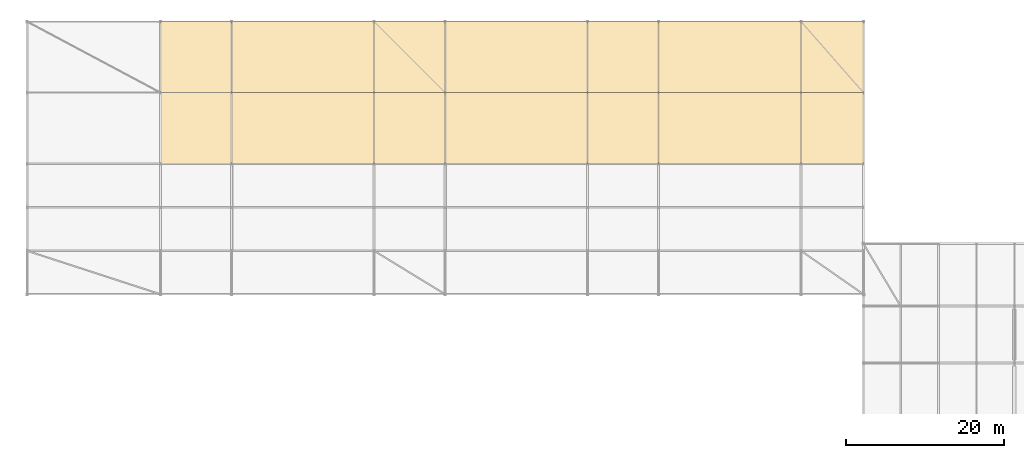
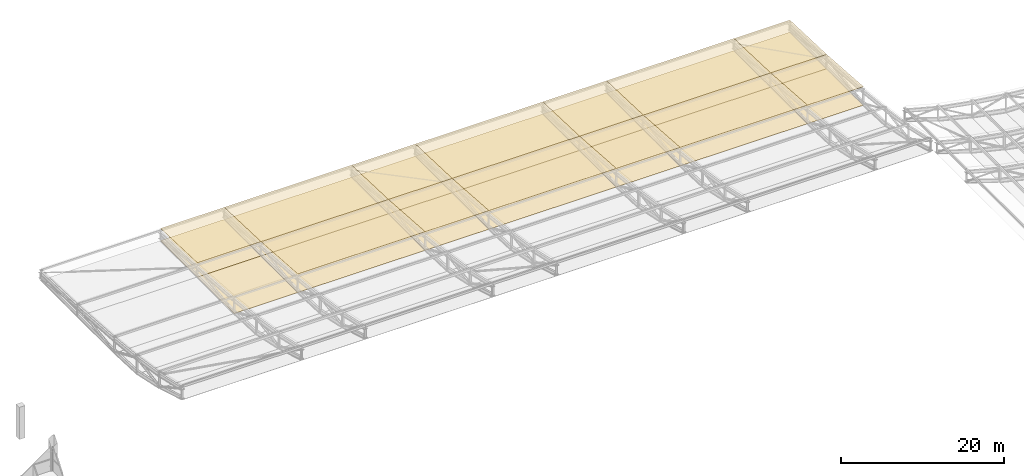
# One storey, part 114 of 114: 27 coverings, 2 elements without a shape of their own.
"""IFC4 building model written with IfcOpenShell, lengths in metres."""

from ifc_helpers import new_model, si_unit, direction, frame, origin, place, context, subcontext, project, spatial, polyline, outline, extrude, material, layer, layer_set, type_object, element, aggregate, save


model = new_model("IFC4")

# Units and contexts
model_context = context("Model", 3, precision=1e-05, world=origin(), true_north=direction((0.0, 1.0)))
body_context = subcontext(model_context, "Body", "Model", "MODEL_VIEW")
ifc_project = project(units=[si_unit("LENGTHUNIT", "METRE"), si_unit("AREAUNIT", "SQUARE_METRE"), si_unit("VOLUMEUNIT", "CUBIC_METRE"), si_unit("PLANEANGLEUNIT", "RADIAN"), si_unit("MASSUNIT", "GRAM", prefix="KILO"), si_unit("THERMODYNAMICTEMPERATUREUNIT", "KELVIN"), si_unit("POWERUNIT", "WATT")], contexts=[model_context])

# Site, building, storey
site_placement = place(None, origin())
site = spatial("IfcSite", under=ifc_project, at=site_placement, CompositionType="ELEMENT")
building_placement = place(site_placement, origin())
building = spatial("IfcBuilding", under=site, at=building_placement, Name="Sindhuravela Promenade Stadium", CompositionType="ELEMENT")
storey_placement = place(building_placement, frame((0.0, 0.0, 24.0)))
storey = spatial("IfcBuildingStorey", under=building, at=storey_placement, Name="L05", CompositionType="ELEMENT", Elevation=24.0)

# Roof, coverings
ifc_material_1 = material(Name="Standing-seam zinc-aluminium roof sheet", Category="aluminium")
roof_type = type_object("IfcRoofType", Name="RF-BARREL-N", PredefinedType="BARREL_ROOF", material=ifc_material_1)
roof_1_placement = place(storey_placement, origin())
roof_1 = element("IfcRoof", 1, at=roof_1_placement, inside=storey, type_object=roof_type, Name="Cantilevered stand roof assembly N-1", PredefinedType="BARREL_ROOF")
ifc_layer_1 = layer(ifc_material_1, 0.044921875)
ifc_layer_set_1 = layer_set([ifc_layer_1], Name="Standing-seam zinc-aluminium roof sheet")
covering_type_1 = type_object("IfcCoveringType", Name="CV-ROOF-N", PredefinedType="ROOFING", material=ifc_layer_set_1)
covering_1_placement = place(storey_placement, frame((72.0, 153.0, 1.510009765625), z_axis=(0.0, 0.03632583546850815, 0.9993399990381227), x_axis=(1.0, 0.0, 0.0)))
covering_1 = element("IfcCovering", 2, at=covering_1_placement, type_object=covering_type_1, Name="Standing-seam roof covering N bay 2.1", PredefinedType="ROOFING", context=body_context, shape_type="SweptSolid", body=[
    extrude(outline(polyline([(0.0, 0.0), (0.0, -9.005943931657509), (9.0, -9.005943931657509), (9.0, 0.0), (0.0, 0.0)])), origin(), (0.0, 0.0, -1.0), 0.044921875),
])
covering_2_placement = place(storey_placement, frame((81.0, 153.0, 1.510009765625), z_axis=(0.0, 0.03632583546850815, 0.9993399990381227), x_axis=(1.0, 0.0, 0.0)))
covering_2 = element("IfcCovering", 3, at=covering_2_placement, type_object=covering_type_1, Name="Standing-seam roof covering N bay 3.1", PredefinedType="ROOFING", context=body_context, shape_type="SweptSolid", body=[
    extrude(outline(polyline([(0.0, 0.0), (0.0, -9.005943931657509), (18.0, -9.005943931657509), (18.0, 0.0), (0.0, 0.0)])), origin(), (0.0, 0.0, -1.0), 0.044921875),
])
covering_3_placement = place(storey_placement, frame((81.0, 144.0, 1.837158203125), z_axis=(0.0, 0.07048937017679614, 0.9975125305940165), x_axis=(1.0, 0.0, 0.0)))
covering_3 = element("IfcCovering", 4, at=covering_3_placement, type_object=covering_type_1, Name="Standing-seam roof covering N bay 3.2", PredefinedType="ROOFING", context=body_context, shape_type="SweptSolid", body=[
    extrude(outline(polyline([(0.0, 0.0), (0.0, -9.022443051056733), (18.0, -9.022443051056733), (18.0, 0.0), (0.0, 0.0)])), origin(), (0.0, 0.0, -1.0), 0.044921875),
])
covering_4_placement = place(storey_placement, frame((99.0, 153.0, 1.510009765625), z_axis=(0.0, 0.03632583546850815, 0.9993399990381227), x_axis=(1.0, 0.0, 0.0)))
covering_4 = element("IfcCovering", 5, at=covering_4_placement, type_object=covering_type_1, Name="Standing-seam roof covering N bay 4.1", PredefinedType="ROOFING", context=body_context, shape_type="SweptSolid", body=[
    extrude(outline(polyline([(0.0, 0.0), (0.0, -9.005943931657509), (9.0, -9.005943931657509), (9.0, 0.0), (0.0, 0.0)])), origin(), (0.0, 0.0, -1.0), 0.044921875),
])
covering_5_placement = place(storey_placement, frame((99.0, 144.0, 1.837158203125), z_axis=(0.0, 0.07048937017679614, 0.9975125305940165), x_axis=(1.0, 0.0, 0.0)))
covering_5 = element("IfcCovering", 6, at=covering_5_placement, type_object=covering_type_1, Name="Standing-seam roof covering N bay 4.2", PredefinedType="ROOFING", context=body_context, shape_type="SweptSolid", body=[
    extrude(outline(polyline([(0.0, 0.0), (0.0, -9.022443051056733), (9.0, -9.022443051056733), (9.0, 0.0), (0.0, 0.0)])), origin(), (0.0, 0.0, -1.0), 0.044921875),
])
aggregate(roof_1, [covering_1, covering_2, covering_3, covering_4, covering_5])

roof_2_placement = place(storey_placement, origin())
roof_2 = element("IfcRoof", 7, at=roof_2_placement, inside=storey, type_object=roof_type, Name="Cantilevered stand roof assembly N-2", PredefinedType="BARREL_ROOF")
covering_6_placement = place(storey_placement, frame((108.0, 153.0, 1.510009765625), z_axis=(0.0, 0.03632583546850815, 0.9993399990381227), x_axis=(1.0, 0.0, 0.0)))
covering_6 = element("IfcCovering", 8, at=covering_6_placement, type_object=covering_type_1, Name="Standing-seam roof covering N bay 5.1", PredefinedType="ROOFING", context=body_context, shape_type="SweptSolid", body=[
    extrude(outline(polyline([(0.0, 0.0), (0.0, -9.005943931657509), (18.0, -9.005943931657509), (18.0, 0.0), (0.0, 0.0)])), origin(), (0.0, 0.0, -1.0), 0.044921875),
])
covering_7_placement = place(storey_placement, frame((108.0, 144.0, 1.837158203125), z_axis=(0.0, 0.07048937017679614, 0.9975125305940165), x_axis=(1.0, 0.0, 0.0)))
covering_7 = element("IfcCovering", 9, at=covering_7_placement, type_object=covering_type_1, Name="Standing-seam roof covering N bay 5.2", PredefinedType="ROOFING", context=body_context, shape_type="SweptSolid", body=[
    extrude(outline(polyline([(0.0, 0.0), (0.0, -9.022443051056733), (18.0, -9.022443051056733), (18.0, 0.0), (0.0, 0.0)])), origin(), (0.0, 0.0, -1.0), 0.044921875),
])
covering_8_placement = place(storey_placement, frame((126.0, 153.0, 1.510009765625), z_axis=(0.0, 0.03632583546850815, 0.9993399990381227), x_axis=(1.0, 0.0, 0.0)))
covering_8 = element("IfcCovering", 10, at=covering_8_placement, type_object=covering_type_1, Name="Standing-seam roof covering N bay 6.1", PredefinedType="ROOFING", context=body_context, shape_type="SweptSolid", body=[
    extrude(outline(polyline([(0.0, 0.0), (0.0, -9.005943931657509), (9.0, -9.005943931657509), (9.0, 0.0), (0.0, 0.0)])), origin(), (0.0, 0.0, -1.0), 0.044921875),
])
covering_9_placement = place(storey_placement, frame((126.0, 144.0, 1.837158203125), z_axis=(0.0, 0.07048937017679614, 0.9975125305940165), x_axis=(1.0, 0.0, 0.0)))
covering_9 = element("IfcCovering", 11, at=covering_9_placement, type_object=covering_type_1, Name="Standing-seam roof covering N bay 6.2", PredefinedType="ROOFING", context=body_context, shape_type="SweptSolid", body=[
    extrude(outline(polyline([(0.0, 0.0), (0.0, -9.022443051056733), (9.0, -9.022443051056733), (9.0, 0.0), (0.0, 0.0)])), origin(), (0.0, 0.0, -1.0), 0.044921875),
])
covering_10_placement = place(storey_placement, frame((135.0, 153.0, 1.510009765625), z_axis=(0.0, 0.03632583546850815, 0.9993399990381227), x_axis=(1.0, 0.0, 0.0)))
covering_10 = element("IfcCovering", 12, at=covering_10_placement, type_object=covering_type_1, Name="Standing-seam roof covering N bay 7.1", PredefinedType="ROOFING", context=body_context, shape_type="SweptSolid", body=[
    extrude(outline(polyline([(0.0, 0.0), (0.0, -9.005943931657509), (18.0, -9.005943931657509), (18.0, 0.0), (0.0, 0.0)])), origin(), (0.0, 0.0, -1.0), 0.044921875),
])
covering_11_placement = place(storey_placement, frame((135.0, 144.0, 1.837158203125), z_axis=(0.0, 0.07048937017679614, 0.9975125305940165), x_axis=(1.0, 0.0, 0.0)))
covering_11 = element("IfcCovering", 13, at=covering_11_placement, type_object=covering_type_1, Name="Standing-seam roof covering N bay 7.2", PredefinedType="ROOFING", context=body_context, shape_type="SweptSolid", body=[
    extrude(outline(polyline([(0.0, 0.0), (0.0, -9.022443051056733), (18.0, -9.022443051056733), (18.0, 0.0), (0.0, 0.0)])), origin(), (0.0, 0.0, -1.0), 0.044921875),
])
covering_12_placement = place(storey_placement, frame((153.0, 153.0, 1.510009765625), z_axis=(0.0, 0.03632583546850815, 0.9993399990381228), x_axis=(1.0, 0.0, 0.0)))
covering_12 = element("IfcCovering", 14, at=covering_12_placement, type_object=covering_type_1, Name="Standing-seam roof covering N bay 8.1", PredefinedType="ROOFING", context=body_context, shape_type="SweptSolid", body=[
    extrude(outline(polyline([(0.0, 0.0), (0.0, -9.00594393165751), (7.89990234375, -9.00594393165751), (7.89990234375, 0.0), (0.0, 0.0)])), origin(), (0.0, 0.0, -1.0), 0.044921875),
])
covering_13_placement = place(storey_placement, frame((153.0, 144.0, 1.837158203125), z_axis=(0.0, 0.07048937017679614, 0.9975125305940166), x_axis=(1.0, 0.0, 0.0)))
covering_13 = element("IfcCovering", 15, at=covering_13_placement, type_object=covering_type_1, Name="Standing-seam roof covering N bay 8.2", PredefinedType="ROOFING", context=body_context, shape_type="SweptSolid", body=[
    extrude(outline(polyline([(0.0, 0.0), (0.0, -9.022443051056733), (7.89990234375, -9.022443051056733), (7.89990234375, 0.0), (0.0, 0.0)])), origin(), (0.0, 0.0, -1.0), 0.044921875),
])
aggregate(roof_2, [covering_6, covering_7, covering_8, covering_9, covering_10, covering_11, covering_12, covering_13])

# Coverings
ifc_material_2 = material(Name="White PVDF aluminium soffit cladding", Category="aluminium")
ifc_layer_2 = layer(ifc_material_2, 0.034912109375)
ifc_layer_set_2 = layer_set([ifc_layer_2], Name="White PVDF aluminium soffit cladding")
covering_type_2 = type_object("IfcCoveringType", Name="CV-SOFFIT-N", PredefinedType="CEILING", material=ifc_layer_set_2)
for number, where, z_axis, x_axis, name in (
    (16, (72.0, 153.0, -0.300048828125), (0.0, 0.0, 1.0), (1.0, 0.0, 0.0), "Smooth white canopy soffit cladding N bay 2.1"),
    (17, (72.0, 144.0, -0.300048828125), (0.0, 0.0, 1.0), (1.0, 0.0, 0.0), "Smooth white canopy soffit cladding N bay 2.2"),
):
    element("IfcCovering", number, at=place(storey_placement, frame(where, z_axis=z_axis, x_axis=x_axis)), inside=storey, type_object=covering_type_2, Name=name, PredefinedType="CEILING", context=body_context, shape_type="SweptSolid", body=[
        extrude(outline(polyline([(0.0, 0.0), (0.0, -9.0), (9.0, -9.0), (9.0, 0.0), (0.0, 0.0)])), origin(), (0.0, 0.0, -1.0), 0.034912109375),
    ])
for number, where, z_axis, x_axis, name in (
    (18, (81.0, 153.0, -0.300048828125), (0.0, 0.0, 1.0), (1.0, 0.0, 0.0), "Smooth white canopy soffit cladding N bay 3.1"),
    (19, (81.0, 144.0, -0.300048828125), (0.0, 0.0, 1.0), (1.0, 0.0, 0.0), "Smooth white canopy soffit cladding N bay 3.2"),
):
    element("IfcCovering", number, at=place(storey_placement, frame(where, z_axis=z_axis, x_axis=x_axis)), inside=storey, type_object=covering_type_2, Name=name, PredefinedType="CEILING", context=body_context, shape_type="SweptSolid", body=[
        extrude(outline(polyline([(0.0, 0.0), (0.0, -9.0), (18.0, -9.0), (18.0, 0.0), (0.0, 0.0)])), origin(), (0.0, 0.0, -1.0), 0.034912109375),
    ])
for number, where, z_axis, x_axis, name in (
    (20, (99.0, 153.0, -0.300048828125), (0.0, 0.0, 1.0), (1.0, 0.0, 0.0), "Smooth white canopy soffit cladding N bay 4.1"),
    (21, (99.0, 144.0, -0.300048828125), (0.0, 0.0, 1.0), (1.0, 0.0, 0.0), "Smooth white canopy soffit cladding N bay 4.2"),
):
    element("IfcCovering", number, at=place(storey_placement, frame(where, z_axis=z_axis, x_axis=x_axis)), inside=storey, type_object=covering_type_2, Name=name, PredefinedType="CEILING", context=body_context, shape_type="SweptSolid", body=[
        extrude(outline(polyline([(0.0, 0.0), (0.0, -9.0), (9.0, -9.0), (9.0, 0.0), (0.0, 0.0)])), origin(), (0.0, 0.0, -1.0), 0.034912109375),
    ])
for number, where, z_axis, x_axis, name in (
    (22, (108.0, 153.0, -0.300048828125), (0.0, 0.0, 1.0), (1.0, 0.0, 0.0), "Smooth white canopy soffit cladding N bay 5.1"),
    (23, (108.0, 144.0, -0.300048828125), (0.0, 0.0, 1.0), (1.0, 0.0, 0.0), "Smooth white canopy soffit cladding N bay 5.2"),
):
    element("IfcCovering", number, at=place(storey_placement, frame(where, z_axis=z_axis, x_axis=x_axis)), inside=storey, type_object=covering_type_2, Name=name, PredefinedType="CEILING", context=body_context, shape_type="SweptSolid", body=[
        extrude(outline(polyline([(0.0, 0.0), (0.0, -9.0), (18.0, -9.0), (18.0, 0.0), (0.0, 0.0)])), origin(), (0.0, 0.0, -1.0), 0.034912109375),
    ])
for number, where, z_axis, x_axis, name in (
    (24, (126.0, 153.0, -0.300048828125), (0.0, 0.0, 1.0), (1.0, 0.0, 0.0), "Smooth white canopy soffit cladding N bay 6.1"),
    (25, (126.0, 144.0, -0.300048828125), (0.0, 0.0, 1.0), (1.0, 0.0, 0.0), "Smooth white canopy soffit cladding N bay 6.2"),
):
    element("IfcCovering", number, at=place(storey_placement, frame(where, z_axis=z_axis, x_axis=x_axis)), inside=storey, type_object=covering_type_2, Name=name, PredefinedType="CEILING", context=body_context, shape_type="SweptSolid", body=[
        extrude(outline(polyline([(0.0, 0.0), (0.0, -9.0), (9.0, -9.0), (9.0, 0.0), (0.0, 0.0)])), origin(), (0.0, 0.0, -1.0), 0.034912109375),
    ])
for number, where, z_axis, x_axis, name in (
    (26, (135.0, 153.0, -0.300048828125), (0.0, 0.0, 1.0), (1.0, 0.0, 0.0), "Smooth white canopy soffit cladding N bay 7.1"),
    (27, (135.0, 144.0, -0.300048828125), (0.0, 0.0, 1.0), (1.0, 0.0, 0.0), "Smooth white canopy soffit cladding N bay 7.2"),
):
    element("IfcCovering", number, at=place(storey_placement, frame(where, z_axis=z_axis, x_axis=x_axis)), inside=storey, type_object=covering_type_2, Name=name, PredefinedType="CEILING", context=body_context, shape_type="SweptSolid", body=[
        extrude(outline(polyline([(0.0, 0.0), (0.0, -9.0), (18.0, -9.0), (18.0, 0.0), (0.0, 0.0)])), origin(), (0.0, 0.0, -1.0), 0.034912109375),
    ])
for number, where, z_axis, x_axis, name in (
    (28, (153.0, 153.0, -0.300048828125), (0.0, 0.0, 1.0), (1.0, 0.0, 0.0), "Smooth white canopy soffit cladding N bay 8.1"),
    (29, (153.0, 144.0, -0.300048828125), (0.0, 0.0, 1.0), (1.0, 0.0, 0.0), "Smooth white canopy soffit cladding N bay 8.2"),
):
    element("IfcCovering", number, at=place(storey_placement, frame(where, z_axis=z_axis, x_axis=x_axis)), inside=storey, type_object=covering_type_2, Name=name, PredefinedType="CEILING", context=body_context, shape_type="SweptSolid", body=[
        extrude(outline(polyline([(0.0, 0.0), (0.0, -9.0), (7.89990234375, -9.0), (7.89990234375, 0.0), (0.0, 0.0)])), origin(), (0.0, 0.0, -1.0), 0.034912109375),
    ])

save(model, "model.ifc")
